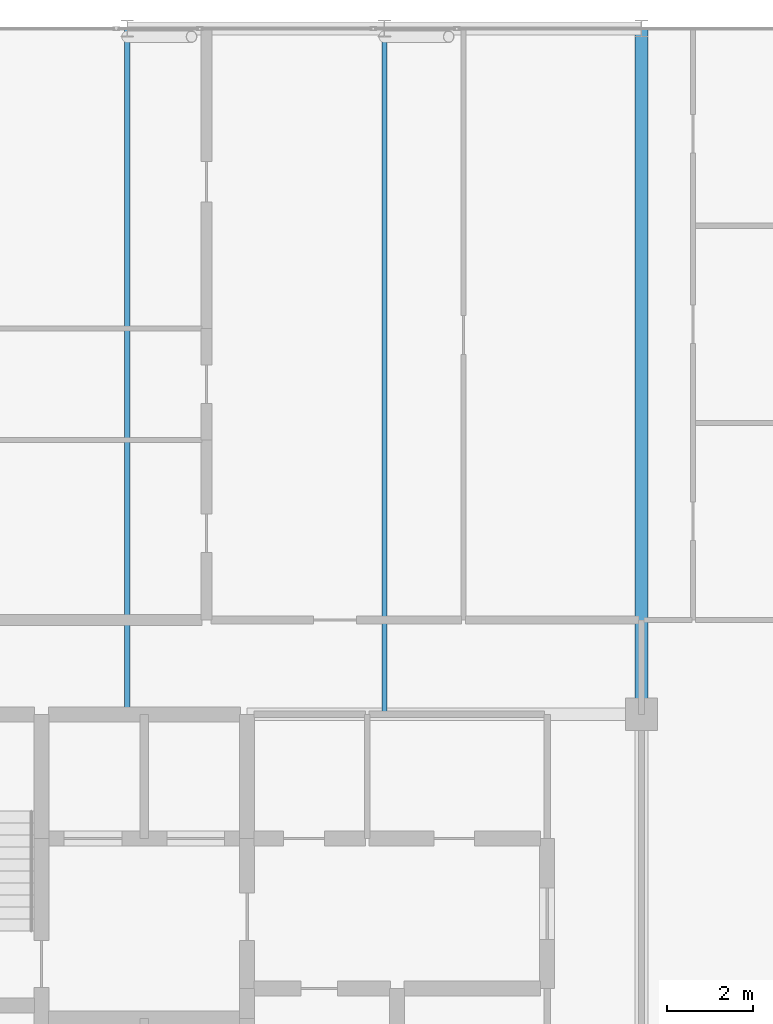
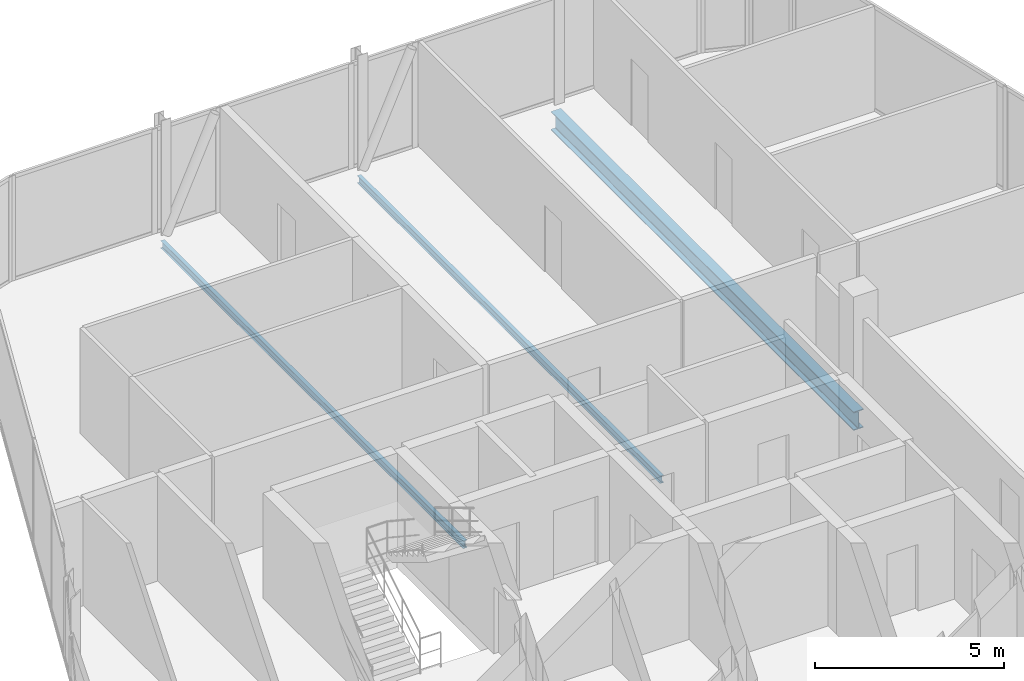
# One storey, part 16 of 27: 3 beams.
"""IFC4 building model written with IfcOpenShell, lengths in metres."""

from ifc_helpers import new_model, si_unit, direction, frame, origin, origin_2d, place, context, subcontext, project, spatial, i_section, extrude, material, material_profile, profile_set, type_object, element, save


model = new_model("IFC4")

# Units and contexts
model_context = context("Model", 3, precision=1e-05, world=origin(), true_north=direction((0.0, 1.0)))
body_context = subcontext(model_context, "Body", "Model", "MODEL_VIEW")
ifc_project = project(units=[si_unit("LENGTHUNIT", "METRE"), si_unit("AREAUNIT", "SQUARE_METRE"), si_unit("VOLUMEUNIT", "CUBIC_METRE"), si_unit("PLANEANGLEUNIT", "RADIAN"), si_unit("MASSUNIT", "GRAM", prefix="KILO")], contexts=[model_context])

# Site, building, storey
site_placement = place(None, origin())
site = spatial("IfcSite", under=ifc_project, at=site_placement, CompositionType="ELEMENT")
building_placement = place(site_placement, origin())
building = spatial("IfcBuilding", under=site, at=building_placement, Name="Keshet Zoharim Tower", CompositionType="ELEMENT")
storey_placement = place(building_placement, frame((0.0, 0.0, 247.300048828125)))
storey = spatial("IfcBuildingStorey", under=building, at=storey_placement, Name="L61", CompositionType="ELEMENT", Elevation=247.300048828125)

# Beams
ifc_material = material(Name="Steel S355", Category="steel")
ifc_material_profile_1 = material_profile(ifc_material, i_section(OverallWidth=0.1201171875, OverallDepth=0.239990234375, WebThickness=0.006103515625, FlangeThickness=0.009765625, FilletRadius=0.014892578125, at=origin_2d()), Name="IPE240")
ifc_profile_set_1 = profile_set([ifc_material_profile_1], Name="Steel S355")
beam_type_1 = type_object("IfcBeamType", Name="BM-JST-IP240", PredefinedType="JOIST", material=ifc_profile_set_1)
for number, where, z_axis, x_axis, name in (
    (1, (21.0, 37.89990234375, -0.429931640625), (0.0, 1.0, 0.0), (-1.0, 0.0, 0.0), "L61 Secondary Floor Joist J-001"),
    (2, (27.0, 37.89990234375, -0.429931640625), (0.0, 1.0, 0.0), (-1.0, 0.0, 0.0), "L61 Secondary Floor Joist J-002"),
):
    element("IfcBeam", number, at=place(storey_placement, frame(where, z_axis=z_axis, x_axis=x_axis)), inside=storey, type_object=beam_type_1, Name=name, PredefinedType="JOIST", context=body_context, shape_type="SweptSolid", body=[
        extrude(i_section(OverallWidth=0.1201171875, OverallDepth=0.239990234375, WebThickness=0.006103515625, FlangeThickness=0.009765625, FilletRadius=0.014892578125, at=origin_2d()), origin(), (0.0, 0.0, 1.0), 16.0),
    ])
ifc_material_profile_2 = material_profile(ifc_material, i_section(OverallWidth=0.300048828125, OverallDepth=0.60009765625, WebThickness=0.015380859375, FlangeThickness=0.030029296875, FilletRadius=0.027099609375, at=origin_2d()), Name="HEB600")
ifc_profile_set_2 = profile_set([ifc_material_profile_2], Name="Steel S355")
beam_type_2 = type_object("IfcBeamType", Name="BM-LNG-HB600", PredefinedType="BEAM", material=ifc_profile_set_2)
beam_placement = place(storey_placement, frame((33.0, 37.89990234375, -0.610107421875), z_axis=(0.0, 1.0, 0.0), x_axis=(-1.0, 0.0, 0.0)))
element("IfcBeam", 3, at=beam_placement, inside=storey, type_object=beam_type_2, Name="L61 Primary Girder Y-009", PredefinedType="BEAM", context=body_context, shape_type="SweptSolid", body=[
    extrude(i_section(OverallWidth=0.300048828125, OverallDepth=0.60009765625, WebThickness=0.015380859375, FlangeThickness=0.030029296875, FilletRadius=0.027099609375, at=origin_2d()), origin(), (0.0, 0.0, 1.0), 16.0),
])

save(model, "model.ifc")
